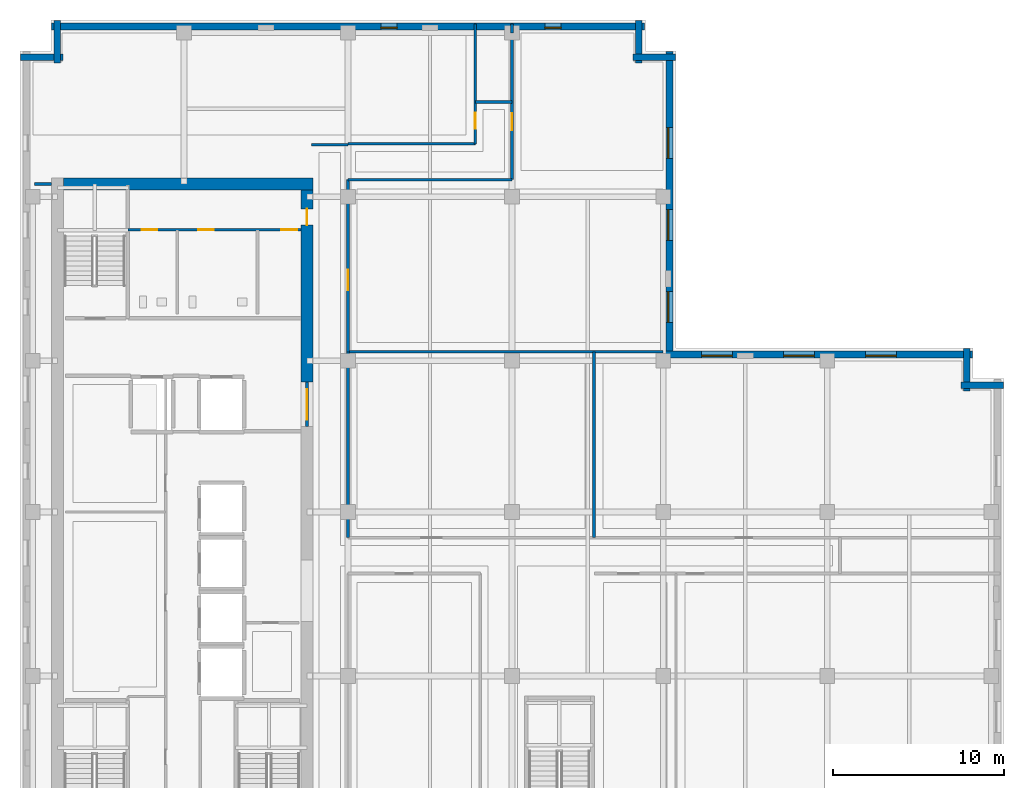
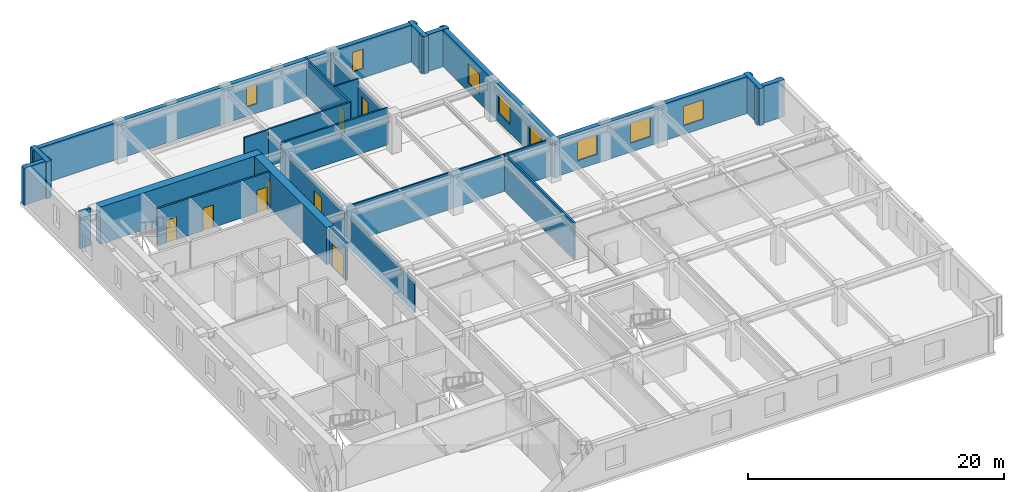
# One storey, part 6 of 14: 25 walls, 8 doors, 8 windows, 16 openings.
"""IFC4 building model written with IfcOpenShell, lengths in metres."""

import ifcopenshell
import ifcopenshell.guid

model = None  # the IFC model being written
_history = None  # IfcOwnerHistory: only IFC2X3 demands one
_inside = {}  # id of a spatial element -> (the spatial element, [elements in it])
_under = {}  # id of a project, library or spatial element -> (it, [spatial elements below it])
_declared = {}  # id of a project -> (the project, [libraries it declares])
_typed = {}  # id of a type object -> (the type object, [elements of that type])
_made_of = {}  # id of a material, layer set ... -> (it, [elements and type objects made of it])


def new_model(schema):
    """Start an empty IFC model of exactly this schema.

    Asked for "IFC4X3", IfcOpenShell would pick the latest addendum, in which some entities
    have other attributes; the version numbers below select the first issue.
    IFC2X3 requires an IfcOwnerHistory on every rooted entity: one is made here for all.
    """
    global model, _history
    if schema == "IFC4X3":
        model = ifcopenshell.file(schema_version=(4, 3, 0, 0))
    else:
        model = ifcopenshell.file(schema=schema)
    _inside.clear()
    _under.clear()
    _declared.clear()
    _typed.clear()
    _made_of.clear()
    _history = None
    if model.schema == "IFC2X3":
        org = make("IfcOrganization", Name="unknown")
        user = make(
            "IfcPersonAndOrganization",
            ThePerson=make("IfcPerson", FamilyName="unknown"),
            TheOrganization=org,
        )
        app = make(
            "IfcApplication",
            ApplicationDeveloper=org,
            Version="unknown",
            ApplicationFullName="unknown",
            ApplicationIdentifier="unknown",
        )
        _history = make(
            "IfcOwnerHistory",
            OwningUser=user,
            OwningApplication=app,
            ChangeAction="ADDED",
            CreationDate=0,
        )
    return model


def make(cls, **values):
    """One entity of the class cls with the attributes given. An attribute that is None is left unset."""
    return model.create_entity(
        cls, **{name: value for name, value in values.items() if value is not None}
    )


def rooted(cls, **values):
    """An entity with a GlobalId (a new one), such as an element, a storey or a relation."""
    return make(cls, GlobalId=ifcopenshell.guid.new(), OwnerHistory=_history, **values)


def si_unit(unit_type, name, prefix=None):
    """IfcSIUnit, for example si_unit("LENGTHUNIT", "METRE", prefix="MILLI")."""
    return make("IfcSIUnit", UnitType=unit_type, Prefix=prefix, Name=name)


def assignment(units):
    """IfcUnitAssignment: the units of a project."""
    return None if units is None else make("IfcUnitAssignment", Units=units)


def point(xyz):
    """IfcCartesianPoint."""
    return None if xyz is None else make("IfcCartesianPoint", Coordinates=xyz)


def direction(xyz):
    """IfcDirection."""
    return None if xyz is None else make("IfcDirection", DirectionRatios=xyz)


def frame(location, z_axis=None, x_axis=None):
    """IfcAxis2Placement3D, a coordinate frame: its origin and axes. An axis left out is left unset."""
    return make(
        "IfcAxis2Placement3D",
        Location=point(location),
        Axis=direction(z_axis),
        RefDirection=direction(x_axis),
    )


def frame_2d(location, x_axis=None):
    """IfcAxis2Placement2D, a coordinate frame in the plane: its origin and x axis."""
    return make(
        "IfcAxis2Placement2D", Location=point(location), RefDirection=direction(x_axis)
    )


def origin():
    """The frame at (0, 0, 0) with its axes left unset."""
    return frame((0.0, 0.0, 0.0))


def place(relative_to, where):
    """IfcLocalPlacement: puts the frame where relative to a parent placement (None: the world)."""
    return make(
        "IfcLocalPlacement", PlacementRelTo=relative_to, RelativePlacement=where
    )


def context(
    kind, dimensions, precision=None, world=None, true_north=None, identifier=None
):
    """IfcGeometricRepresentationContext, for example the 3D "Model" context."""
    return make(
        "IfcGeometricRepresentationContext",
        ContextIdentifier=identifier,
        ContextType=kind,
        CoordinateSpaceDimension=dimensions,
        Precision=precision,
        WorldCoordinateSystem=world,
        TrueNorth=true_north,
    )


def subcontext(parent, identifier, kind, view, scale=None):
    """IfcGeometricRepresentationSubContext, for example "Body" below "Model"."""
    return make(
        "IfcGeometricRepresentationSubContext",
        ContextIdentifier=identifier,
        ContextType=kind,
        ParentContext=parent,
        TargetScale=scale,
        TargetView=view,
    )


def project(units=None, contexts=None):
    """IfcProject with its units and contexts."""
    return rooted(
        "IfcProject",
        Name="project",
        RepresentationContexts=contexts,
        UnitsInContext=assignment(units),
    )


def spatial(cls, under=None, at=None, **own):
    """A site, building, storey or space (cls), placed at a placement, below another one or the project."""
    s = rooted(cls, ObjectPlacement=at, **own)
    if under is not None:
        _under.setdefault(under.id(), (under, []))[1].append(s)
    return s


def profile(cls, at=None, kind="AREA", **sizes):
    """A parametric profile (cls). Its sizes go by their IFC names, for example OverallWidth=200.0."""
    return make(cls, ProfileType=kind, Position=at, **sizes)


def rectangle(**sizes):
    """IfcRectangleProfileDef."""
    return profile("IfcRectangleProfileDef", **sizes)


def extrude(swept, where, along, depth):
    """IfcExtrudedAreaSolid: the profile swept, set in the frame where, extruded along a direction by depth."""
    return make(
        "IfcExtrudedAreaSolid",
        SweptArea=swept,
        Position=where,
        ExtrudedDirection=direction(along),
        Depth=depth,
    )


def shape(context_of_items, identifier, shape_type, items):
    """IfcShapeRepresentation: the items that make up one representation, for example the "Body"."""
    return make(
        "IfcShapeRepresentation",
        ContextOfItems=context_of_items,
        RepresentationIdentifier=identifier,
        RepresentationType=shape_type,
        Items=items,
    )


def material(Name=None, Category=None):
    """IfcMaterial."""
    return make("IfcMaterial", Name=Name, Category=Category)


def layer(
    of_material, thickness, ventilated=None, Name=None, Category=None, Priority=None
):
    """IfcMaterialLayer: one layer of a wall or slab, of a material (None: an air gap)."""
    return make(
        "IfcMaterialLayer",
        Material=of_material,
        LayerThickness=thickness,
        IsVentilated=ventilated,
        Name=Name,
        Category=Category,
        Priority=Priority,
    )


def layer_set(layers, Name=None):
    """IfcMaterialLayerSet."""
    return make("IfcMaterialLayerSet", MaterialLayers=layers, LayerSetName=Name)


def made_of(thing, what):
    """Note that an element or type object is made of a material, layer set ...; save() writes the relation."""
    if what is not None:
        _made_of.setdefault(what.id(), (what, []))[1].append(thing)
    return thing


def type_object(cls, material=None, **own):
    """A type object (cls), such as IfcWallType, which elements share."""
    return made_of(rooted(cls, **own), material)


def element(
    cls,
    number,
    at=None,
    inside=None,
    cuts=None,
    type_object=None,
    material=None,
    context=None,
    identifier="Body",
    shape_type=None,
    held_by="IfcProductDefinitionShape",
    body=None,
    shapes=None,
    **own,
):
    """One element of the class cls, such as IfcWall. Its Tag is "e" and its number.

    at: its placement. inside: the storey or other place that contains it. cuts: it is an
    opening in that element (IfcRelVoidsElement). A single representation is given by context,
    identifier, shape_type and body (its items); several are given by shapes. held_by: the class
    of the entity that holds the representations. save() writes the other relations.
    """
    e = rooted(cls, Tag="e%d" % number, ObjectPlacement=at, **own)
    if body is not None:
        shapes = [shape(context, identifier, shape_type, body)]
    if shapes is not None:
        e.Representation = make(held_by, Representations=shapes)
    if inside is not None:
        _inside.setdefault(inside.id(), (inside, []))[1].append(e)
    if cuts is not None:
        rooted(
            "IfcRelVoidsElement", RelatingBuildingElement=cuts, RelatedOpeningElement=e
        )
    if type_object is not None:
        _typed.setdefault(type_object.id(), (type_object, []))[1].append(e)
    return made_of(e, material)


def fill(opening, filler):
    """IfcRelFillsElement: the door or window that sits in an opening."""
    return rooted(
        "IfcRelFillsElement",
        RelatingOpeningElement=opening,
        RelatedBuildingElement=filler,
    )


def aggregate(whole, parts):
    """IfcRelAggregates: a whole, such as a stair, and the parts it consists of."""
    return rooted("IfcRelAggregates", RelatingObject=whole, RelatedObjects=parts)


def save(model, path):
    """Write the relations noted so far, then the file.

    IfcRelAggregates (storeys below a building ...), IfcRelContainedInSpatialStructure (elements
    in a storey), IfcRelDefinesByType, IfcRelAssociatesMaterial and IfcRelDeclares: one each for
    every whole, place, type object, material and project.
    """
    for whole, parts in _under.values():
        aggregate(whole, parts)
    for where, things in _inside.values():
        rooted(
            "IfcRelContainedInSpatialStructure",
            RelatedElements=things,
            RelatingStructure=where,
        )
    for kind, things in _typed.values():
        rooted("IfcRelDefinesByType", RelatedObjects=things, RelatingType=kind)
    for what, things in _made_of.values():
        rooted("IfcRelAssociatesMaterial", RelatedObjects=things, RelatingMaterial=what)
    for by, libraries in _declared.values():
        rooted("IfcRelDeclares", RelatingContext=by, RelatedDefinitions=libraries)
    model.write(path)


model = new_model("IFC4")

# Units and contexts
model_context = context("Model", 3, precision=1e-05, world=origin(), true_north=direction((0.0, 1.0)))
body_context = subcontext(model_context, "Body", "Model", "MODEL_VIEW")
ifc_project = project(units=[si_unit("LENGTHUNIT", "METRE"), si_unit("AREAUNIT", "SQUARE_METRE"), si_unit("VOLUMEUNIT", "CUBIC_METRE"), si_unit("PLANEANGLEUNIT", "RADIAN"), si_unit("MASSUNIT", "GRAM", prefix="KILO")], contexts=[model_context])

# Site, building, storey
site_placement = place(None, origin())
site = spatial("IfcSite", under=ifc_project, at=site_placement, CompositionType="ELEMENT")
building_placement = place(site_placement, origin())
building = spatial("IfcBuilding", under=site, at=building_placement, Name="Norrvale University Quadrangle", CompositionType="ELEMENT")
storey_placement = place(building_placement, frame((0.0, 0.0, 214.199951171875)))
storey = spatial("IfcBuildingStorey", under=building, at=storey_placement, Name="L54", CompositionType="ELEMENT", Elevation=214.199951171875)

# Wall
ifc_material_1 = material(Name="Concrete C60/75", Category="concrete")
ifc_layer_1 = layer(ifc_material_1, 0.699951171875, Name="Concrete C60/75")
ifc_layer_set_1 = layer_set([ifc_layer_1], Name="Concrete C60/75")
wall_type_1 = type_object("IfcWallType", Name="Wall Core 700", PredefinedType="SHEAR", material=ifc_layer_set_1)
wall_1_placement = place(storey_placement, frame((2.550048828125, 48.0, 0.0), z_axis=(0.0, 0.0, 1.0), x_axis=(1.0, 0.0, 0.0)))
element("IfcWall", 1, at=wall_1_placement, inside=storey, type_object=wall_type_1, Name="Tower Core Shear Wall L54-N", PredefinedType="SHEAR", context=body_context, shape_type="SweptSolid", body=[
    extrude(rectangle(XDim=14.599853515625, YDim=0.699951171875, at=frame_2d((7.2998046875, 0.0))), origin(), (0.0, 0.0, 1.0), 3.5400390625),
])

# Wall, opening, door
wall_2_placement = place(storey_placement, frame((16.800048828125, 36.39990234375, 0.0), z_axis=(0.0, 0.0, 1.0), x_axis=(0.0, 1.0, 0.0)))
wall_2 = element("IfcWall", 2, at=wall_2_placement, inside=storey, type_object=wall_type_1, Name="Tower Core Shear Wall L54-E3", PredefinedType="SHEAR", context=body_context, shape_type="SweptSolid", body=[
    extrude(rectangle(XDim=11.25, YDim=0.699951171875, at=frame_2d((5.625, 0.0))), origin(), (0.0, 0.0, 1.0), 3.5400390625),
])
opening_1_placement = place(wall_2_placement, frame((9.199951171875, 0.0, 0.0)))
opening_1 = element("IfcOpeningElement", 3, at=opening_1_placement, cuts=wall_2, Name="Opening D07", PredefinedType="OPENING", context=body_context, shape_type="SweptSolid", body=[
    extrude(rectangle(XDim=0.949951171875, YDim=2.14990234375, at=frame_2d((0.47509765625, 1.074951171875))), frame((0.0, 0.362060546875, 0.0), z_axis=(0.0, -1.0, 0.0), x_axis=(1.0, 0.0, 0.0)), (0.0, 0.0, 1.0), 0.723876953125),
])
ifc_material_2 = material(Name="Solid-Core Maple Door", Category="wood")
door_type_1 = type_object("IfcDoorType", Name="Door Office 950x2150", OperationType="NOTDEFINED", PredefinedType="DOOR", material=ifc_material_2)
door_1_placement = place(opening_1_placement, origin())
door_1 = element("IfcDoor", 4, at=door_1_placement, inside=storey, type_object=door_type_1, Name="Door Office 950x2150 DR-L54-NECORR", OperationType="SINGLE_SWING_LEFT", OverallHeight=2.14990234375, OverallWidth=0.949951171875, PredefinedType="DOOR", context=body_context, shape_type="SweptSolid", body=[
    extrude(rectangle(XDim=0.949951171875, YDim=2.14990234375, at=frame_2d((0.47509765625, 1.074951171875))), frame((0.0, 0.02490234375, 0.0), z_axis=(0.0, -1.0, 0.0), x_axis=(1.0, 0.0, 0.0)), (0.0, 0.0, 1.0), 0.050048828125),
])
fill(opening_1, door_1)

# Walls
ifc_material_3 = material(Name="Standard Academic Gypsum Partition")
ifc_layer_2 = layer(ifc_material_3, 0.125, Name="Standard Academic Gypsum Partition")
ifc_layer_set_2 = layer_set([ifc_layer_2], Name="Standard Academic Gypsum Partition")
wall_type_2 = type_object("IfcWallType", Name="Wall Gypsum Academic 125", PredefinedType="PARTITIONING", material=ifc_layer_set_2)
wall_3_placement = place(storey_placement, frame((19.280029296875, 38.179931640625, 0.0), z_axis=(0.0, 0.0, 1.0), x_axis=(1.0, 0.0, 0.0)))
element("IfcWall", 5, at=wall_3_placement, inside=storey, type_object=wall_type_2, Name="Interior Partition WL-L54-ME-N", PredefinedType="PARTITIONING", context=body_context, shape_type="SweptSolid", body=[
    extrude(rectangle(XDim=18.369873046875, YDim=0.125, at=frame_2d((9.18505859375, 0.0))), origin(), (0.0, 0.0, 1.0), 3.5400390625),
])
ifc_material_4 = material(Name="Fire-Rated Gypsum Stud Partition")
ifc_layer_3 = layer(ifc_material_4, 0.14990234375, Name="Fire-Rated Gypsum Stud Partition")
ifc_layer_set_3 = layer_set([ifc_layer_3], Name="Fire-Rated Gypsum Stud Partition")
wall_type_3 = type_object("IfcWallType", Name="Wall Gypsum Corridor 150", PredefinedType="PARTITIONING", material=ifc_layer_set_3)
wall_4_placement = place(storey_placement, frame((17.050048828125, 50.300048828125, 0.0), z_axis=(0.0, 0.0, 1.0), x_axis=(1.0, 0.0, 0.0)))
element("IfcWall", 6, at=wall_4_placement, inside=storey, type_object=wall_type_3, Name="Interior Partition WL-L54-CSP-N", PredefinedType="PARTITIONING", context=body_context, shape_type="SweptSolid", body=[
    extrude(rectangle(XDim=2.14990234375, YDim=0.14990234375, at=frame_2d((1.074951171875, 0.0))), origin(), (0.0, 0.0, 1.0), 3.5400390625),
])
wall_5_placement = place(storey_placement, frame((19.199951171875, 27.300048828125, 0.0), z_axis=(0.0, 0.0, 1.0), x_axis=(0.0, 1.0, 0.0)))
element("IfcWall", 7, at=wall_5_placement, inside=storey, type_object=wall_type_3, Name="Interior Partition WL-L54-ME-W", PredefinedType="PARTITIONING", context=body_context, shape_type="SweptSolid", body=[
    extrude(rectangle(XDim=10.8798828125, YDim=0.14990234375, at=frame_2d((5.43994140625, 0.0))), origin(), (0.0, 0.0, 1.0), 2.924072265625),
])

# Wall, opening, door
wall_6_placement = place(storey_placement, frame((19.199951171875, 38.179931640625, 0.0), z_axis=(0.0, 0.0, 1.0), x_axis=(0.0, 1.0, 0.0)))
wall_6 = element("IfcWall", 8, at=wall_6_placement, inside=storey, type_object=wall_type_3, Name="Interior Partition WL-L54-MNECW", PredefinedType="PARTITIONING", context=body_context, shape_type="SweptSolid", body=[
    extrude(rectangle(XDim=10.070068359375, YDim=0.14990234375, at=frame_2d((5.03515625, 0.0))), origin(), (0.0, 0.0, 1.0), 2.924072265625),
])
opening_2_placement = place(wall_6_placement, frame((3.60009765625, 0.0, 0.0)))
opening_2 = element("IfcOpeningElement", 9, at=opening_2_placement, cuts=wall_6, Name="Opening D05", PredefinedType="OPENING", context=body_context, shape_type="SweptSolid", body=[
    extrude(rectangle(XDim=1.199951171875, YDim=2.199951171875, at=frame_2d((0.60009765625, 1.10009765625))), frame((0.0, 0.0869140625, 0.0), z_axis=(0.0, -1.0, 0.0), x_axis=(1.0, 0.0, 0.0)), (0.0, 0.0, 1.0), 0.173828125),
])
ifc_material_5 = material(Name="Acoustic Oak Classroom Door", Category="wood")
door_type_2 = type_object("IfcDoorType", Name="Door Classroom 1200x2200", OperationType="NOTDEFINED", PredefinedType="DOOR", material=ifc_material_5)
door_2_placement = place(opening_2_placement, origin())
door_2 = element("IfcDoor", 10, at=door_2_placement, inside=storey, type_object=door_type_2, Name="Door Classroom 1200x2200 DR-L54-MNE01", OperationType="SINGLE_SWING_RIGHT", OverallHeight=2.199951171875, OverallWidth=1.199951171875, PredefinedType="DOOR", context=body_context, shape_type="SweptSolid", body=[
    extrude(rectangle(XDim=1.199951171875, YDim=2.199951171875, at=frame_2d((0.60009765625, 1.10009765625))), frame((0.0, 0.02490234375, 0.0), z_axis=(0.0, -1.0, 0.0), x_axis=(1.0, 0.0, 0.0)), (0.0, 0.0, 1.0), 0.050048828125),
])
fill(opening_2, door_2)

# Walls
wall_7_placement = place(storey_placement, frame((19.199951171875, 48.25, 0.0), z_axis=(0.0, 0.0, 1.0), x_axis=(1.0, 0.0, 0.0)))
element("IfcWall", 11, at=wall_7_placement, inside=storey, type_object=wall_type_3, Name="Interior Partition WL-L54-JOGS", PredefinedType="PARTITIONING", context=body_context, shape_type="SweptSolid", body=[
    extrude(rectangle(XDim=9.60009765625, YDim=0.14990234375, at=frame_2d((4.800048828125, 0.0))), origin(), (0.0, 0.0, 1.0), 3.5400390625),
])
wall_8_placement = place(storey_placement, frame((19.199951171875, 50.35009765625, 0.0), z_axis=(0.0, 0.0, 1.0), x_axis=(1.0, 0.0, 0.0)))
element("IfcWall", 12, at=wall_8_placement, inside=storey, type_object=wall_type_3, Name="Interior Partition WL-L54-JOGN", PredefinedType="PARTITIONING", context=body_context, shape_type="SweptSolid", body=[
    extrude(rectangle(XDim=7.449951171875, YDim=0.14990234375, at=frame_2d((3.72509765625, 0.0))), origin(), (0.0, 0.0, 1.0), 3.5400390625),
])
wall_9_placement = place(storey_placement, frame((26.64990234375, 52.800048828125, 0.0), z_axis=(0.0, 0.0, 1.0), x_axis=(1.0, 0.0, 0.0)))
element("IfcWall", 13, at=wall_9_placement, inside=storey, type_object=wall_type_3, Name="Interior Partition WL-L54-JOGEND", PredefinedType="PARTITIONING", context=body_context, shape_type="SweptSolid", body=[
    extrude(rectangle(XDim=2.150146484375, YDim=0.14990234375, at=frame_2d((1.0751953125, 0.0))), origin(), (0.0, 0.0, 1.0), 3.5400390625),
])

# Wall, opening, door
wall_10_placement = place(storey_placement, frame((28.800048828125, 48.25, 0.0), z_axis=(0.0, 0.0, 1.0), x_axis=(0.0, 1.0, 0.0)))
wall_10 = element("IfcWall", 14, at=wall_10_placement, inside=storey, type_object=wall_type_3, Name="Interior Partition WL-L54-NECW", PredefinedType="PARTITIONING", context=body_context, shape_type="SweptSolid", body=[
    extrude(rectangle(XDim=8.60009765625, YDim=0.14990234375, at=frame_2d((4.300048828125, 0.0))), origin(), (0.0, 0.0, 1.0), 2.924072265625),
])
opening_3_placement = place(wall_10_placement, frame((2.89990234375, 0.0, 0.0)))
opening_3 = element("IfcOpeningElement", 15, at=opening_3_placement, cuts=wall_10, Name="Opening D04", PredefinedType="OPENING", context=body_context, shape_type="SweptSolid", body=[
    extrude(rectangle(XDim=1.0, YDim=2.199951171875, at=frame_2d((0.5, 1.10009765625))), frame((0.0, 0.0869140625, 0.0), z_axis=(0.0, -1.0, 0.0), x_axis=(1.0, 0.0, 0.0)), (0.0, 0.0, 1.0), 0.173828125),
])
ifc_material_6 = material(Name="Solid-Core Oak Fire Door", Category="wood")
door_type_3 = type_object("IfcDoorType", Name="Door Corridor 1000x2200", OperationType="NOTDEFINED", PredefinedType="DOOR", material=ifc_material_6)
door_3_placement = place(opening_3_placement, origin())
door_3 = element("IfcDoor", 16, at=door_3_placement, inside=storey, type_object=door_type_3, Name="Door Corridor 1000x2200 DR-L54-NE01", OperationType="SINGLE_SWING_RIGHT", OverallHeight=2.199951171875, OverallWidth=1.0, PredefinedType="DOOR", context=body_context, shape_type="SweptSolid", body=[
    extrude(rectangle(XDim=1.0, YDim=2.199951171875, at=frame_2d((0.5, 1.10009765625))), frame((0.0, 0.02490234375, 0.0), z_axis=(0.0, -1.0, 0.0), x_axis=(1.0, 0.0, 0.0)), (0.0, 0.0, 1.0), 0.050048828125),
])
fill(opening_3, door_3)

# Wall
wall_11_placement = place(storey_placement, frame((28.800048828125, 56.85009765625, 0.0), z_axis=(0.0, 0.0, 1.0), x_axis=(0.0, 1.0, 0.0)))
element("IfcWall", 17, at=wall_11_placement, inside=storey, type_object=wall_type_3, Name="Interior Partition WL-L54-NECW-B2", PredefinedType="PARTITIONING", context=body_context, shape_type="SweptSolid", body=[
    extrude(rectangle(XDim=0.52978515625, YDim=0.14990234375, at=frame_2d((0.264892578125, 0.0))), origin(), (0.0, 0.0, 1.0), 3.5400390625),
])

# Wall, opening, door
wall_12_placement = place(storey_placement, frame((26.64990234375, 50.35009765625, 0.0), z_axis=(0.0, 0.0, 1.0), x_axis=(0.0, 1.0, 0.0)))
wall_12 = element("IfcWall", 18, at=wall_12_placement, inside=storey, type_object=wall_type_3, Name="Interior Partition WL-L54-NWCW", PredefinedType="PARTITIONING", context=body_context, shape_type="SweptSolid", body=[
    extrude(rectangle(XDim=7.02978515625, YDim=0.14990234375, at=frame_2d((3.514892578125, 0.0))), origin(), (0.0, 0.0, 1.0), 3.5400390625),
])
opening_4_placement = place(wall_12_placement, frame((0.875, 0.0, 0.0)))
opening_4 = element("IfcOpeningElement", 19, at=opening_4_placement, cuts=wall_12, Name="Opening D07", PredefinedType="OPENING", context=body_context, shape_type="SweptSolid", body=[
    extrude(rectangle(XDim=0.949951171875, YDim=2.14990234375, at=frame_2d((0.47509765625, 1.074951171875))), frame((0.0, 0.0869140625, 0.0), z_axis=(0.0, -1.0, 0.0), x_axis=(1.0, 0.0, 0.0)), (0.0, 0.0, 1.0), 0.173828125),
])
door_4_placement = place(opening_4_placement, origin())
door_4 = element("IfcDoor", 20, at=door_4_placement, inside=storey, type_object=door_type_1, Name="Door Office 950x2150 DR-L54-NW01", OperationType="SINGLE_SWING_RIGHT", OverallHeight=2.14990234375, OverallWidth=0.949951171875, PredefinedType="DOOR", context=body_context, shape_type="SweptSolid", body=[
    extrude(rectangle(XDim=0.949951171875, YDim=2.14990234375, at=frame_2d((0.47509765625, 1.074951171875))), frame((0.0, 0.02490234375, 0.0), z_axis=(0.0, -1.0, 0.0), x_axis=(1.0, 0.0, 0.0)), (0.0, 0.0, 1.0), 0.050048828125),
])
fill(opening_4, door_4)

# Wall, openings, doors
ifc_material_7 = material(Name="Sanitary Chase Gypsum Partition")
ifc_layer_4 = layer(ifc_material_7, 0.1650390625, Name="Sanitary Chase Gypsum Partition")
ifc_layer_set_4 = layer_set([ifc_layer_4], Name="Sanitary Chase Gypsum Partition")
wall_type_4 = type_object("IfcWallType", Name="Wall Gypsum Sanitary 165", PredefinedType="PLUMBINGWALL", material=ifc_layer_set_4)
wall_13_placement = place(storey_placement, frame((6.320068359375, 45.320068359375, 0.0), z_axis=(0.0, 0.0, 1.0), x_axis=(1.0, 0.0, 0.0)))
wall_13 = element("IfcWall", 21, at=wall_13_placement, inside=storey, type_object=wall_type_4, Name="Interior Partition WL-L54-WCN", PredefinedType="PLUMBINGWALL", context=body_context, shape_type="SweptSolid", body=[
    extrude(rectangle(XDim=10.1298828125, YDim=0.1650390625, at=frame_2d((5.06494140625, 0.0))), origin(), (0.0, 0.0, 1.0), 3.5400390625),
])
opening_5_placement = place(wall_13_placement, frame((0.800048828125, 0.0, 0.0)))
opening_5 = element("IfcOpeningElement", 22, at=opening_5_placement, cuts=wall_13, Name="Opening D08", PredefinedType="OPENING", context=body_context, shape_type="SweptSolid", body=[
    extrude(rectangle(XDim=0.919921875, YDim=2.14990234375, at=frame_2d((0.4599609375, 1.074951171875))), frame((0.0, 0.094482421875, 0.0), z_axis=(0.0, -1.0, 0.0), x_axis=(1.0, 0.0, 0.0)), (0.0, 0.0, 1.0), 0.18896484375),
])
opening_6_placement = place(wall_13_placement, frame((4.10009765625, 0.0, 0.0)))
opening_6 = element("IfcOpeningElement", 23, at=opening_6_placement, cuts=wall_13, Name="Opening D08", PredefinedType="OPENING", context=body_context, shape_type="SweptSolid", body=[
    extrude(rectangle(XDim=0.919921875, YDim=2.14990234375, at=frame_2d((0.4599609375, 1.074951171875))), frame((0.0, 0.094482421875, 0.0), z_axis=(0.0, -1.0, 0.0), x_axis=(1.0, 0.0, 0.0)), (0.0, 0.0, 1.0), 0.18896484375),
])
opening_7_placement = place(wall_13_placement, frame((8.97998046875, 0.0, 0.0)))
opening_7 = element("IfcOpeningElement", 24, at=opening_7_placement, cuts=wall_13, Name="Opening D08", PredefinedType="OPENING", context=body_context, shape_type="SweptSolid", body=[
    extrude(rectangle(XDim=0.919921875, YDim=2.14990234375, at=frame_2d((0.4599609375, 1.074951171875))), frame((0.0, 0.094482421875, 0.0), z_axis=(0.0, -1.0, 0.0), x_axis=(1.0, 0.0, 0.0)), (0.0, 0.0, 1.0), 0.18896484375),
])
ifc_material_8 = material(Name="Laminate Washroom Door", Category="wood")
door_type_4 = type_object("IfcDoorType", Name="Door Washroom 920x2150", OperationType="NOTDEFINED", PredefinedType="DOOR", material=ifc_material_8)
door_5_placement = place(opening_5_placement, origin())
door_5 = element("IfcDoor", 25, at=door_5_placement, inside=storey, type_object=door_type_4, Name="Door Washroom 920x2150 DR-L54-WC1", OperationType="SINGLE_SWING_LEFT", OverallHeight=2.14990234375, OverallWidth=0.919921875, PredefinedType="DOOR", context=body_context, shape_type="SweptSolid", body=[
    extrude(rectangle(XDim=0.919921875, YDim=2.14990234375, at=frame_2d((0.4599609375, 1.074951171875))), frame((0.0, 0.02490234375, 0.0), z_axis=(0.0, -1.0, 0.0), x_axis=(1.0, 0.0, 0.0)), (0.0, 0.0, 1.0), 0.050048828125),
])
fill(opening_5, door_5)
door_6_placement = place(opening_6_placement, origin())
door_6 = element("IfcDoor", 26, at=door_6_placement, inside=storey, type_object=door_type_4, Name="Door Washroom 920x2150 DR-L54-WC2", OperationType="SINGLE_SWING_RIGHT", OverallHeight=2.14990234375, OverallWidth=0.919921875, PredefinedType="DOOR", context=body_context, shape_type="SweptSolid", body=[
    extrude(rectangle(XDim=0.919921875, YDim=2.14990234375, at=frame_2d((0.4599609375, 1.074951171875))), frame((0.0, 0.02490234375, 0.0), z_axis=(0.0, -1.0, 0.0), x_axis=(1.0, 0.0, 0.0)), (0.0, 0.0, 1.0), 0.050048828125),
])
fill(opening_6, door_6)
door_7_placement = place(opening_7_placement, origin())
door_7 = element("IfcDoor", 27, at=door_7_placement, inside=storey, type_object=door_type_4, Name="Door Washroom 920x2150 DR-L54-WC3", OperationType="SINGLE_SWING_LEFT", OverallHeight=2.14990234375, OverallWidth=0.919921875, PredefinedType="DOOR", context=body_context, shape_type="SweptSolid", body=[
    extrude(rectangle(XDim=0.919921875, YDim=2.14990234375, at=frame_2d((0.4599609375, 1.074951171875))), frame((0.0, 0.02490234375, 0.0), z_axis=(0.0, -1.0, 0.0), x_axis=(1.0, 0.0, 0.0)), (0.0, 0.0, 1.0), 0.050048828125),
])
fill(opening_7, door_7)

# Wall
wall_14_placement = place(storey_placement, frame((33.60009765625, 27.300048828125, 0.0), z_axis=(0.0, 0.0, 1.0), x_axis=(0.0, 1.0, 0.0)))
element("IfcWall", 28, at=wall_14_placement, inside=storey, type_object=wall_type_4, Name="Interior Partition WL-L54-MEP01", PredefinedType="PLUMBINGWALL", context=body_context, shape_type="SweptSolid", body=[
    extrude(rectangle(XDim=10.8798828125, YDim=0.1650390625, at=frame_2d((5.43994140625, 0.0))), origin(), (0.0, 0.0, 1.0), 3.5400390625),
])

# Wall, opening, door
ifc_material_9 = material(Name="Concrete Blockwork 20 MPa Rated Wall", Category="masonry")
ifc_layer_5 = layer(ifc_material_9, 0.199951171875, Name="Concrete Blockwork 20 MPa Rated Wall")
ifc_layer_set_5 = layer_set([ifc_layer_5], Name="Concrete Blockwork 20 MPa Rated Wall")
wall_type_5 = type_object("IfcWallType", Name="Wall Lobby 200", PredefinedType="SOLIDWALL", material=ifc_layer_set_5)
wall_15_placement = place(storey_placement, frame((16.800048828125, 33.800048828125, 0.0), z_axis=(0.0, 0.0, 1.0), x_axis=(0.0, 1.0, 0.0)))
wall_15 = element("IfcWall", 29, at=wall_15_placement, inside=storey, type_object=wall_type_5, Name="Interior Partition WL-L54-FFP", PredefinedType="SOLIDWALL", context=body_context, shape_type="SweptSolid", body=[
    extrude(rectangle(XDim=2.599853515625, YDim=0.199951171875, at=frame_2d((1.2998046875, 0.0))), origin(), (0.0, 0.0, 1.0), 3.5400390625),
])
opening_8_placement = place(wall_15_placement, frame((0.39990234375, 0.0, 0.0)))
opening_8 = element("IfcOpeningElement", 30, at=opening_8_placement, cuts=wall_15, Name="Opening D03", PredefinedType="OPENING", context=body_context, shape_type="SweptSolid", body=[
    extrude(rectangle(XDim=1.800048828125, YDim=2.199951171875, at=frame_2d((0.89990234375, 1.10009765625))), frame((0.0, 0.112060546875, 0.0), z_axis=(0.0, -1.0, 0.0), x_axis=(1.0, 0.0, 0.0)), (0.0, 0.0, 1.0), 0.223876953125),
])
ifc_material_10 = material(Name="Hollow Steel 350W Fire Door", Category="steel")
door_type_5 = type_object("IfcDoorType", Name="Door Fire Lobby 1800x2200", OperationType="DOUBLE_DOOR_SINGLE_SWING", PredefinedType="DOOR", material=ifc_material_10)
door_8_placement = place(opening_8_placement, origin())
door_8 = element("IfcDoor", 31, at=door_8_placement, inside=storey, type_object=door_type_5, Name="Door Fire Lobby 1800x2200 DR-L54-FFP", OperationType="DOUBLE_DOOR_SINGLE_SWING", OverallHeight=2.199951171875, OverallWidth=1.800048828125, PredefinedType="DOOR", context=body_context, shape_type="SweptSolid", body=[
    extrude(rectangle(XDim=1.800048828125, YDim=2.199951171875, at=frame_2d((0.89990234375, 1.10009765625))), frame((0.0, 0.02490234375, 0.0), z_axis=(0.0, -1.0, 0.0), x_axis=(1.0, 0.0, 0.0)), (0.0, 0.0, 1.0), 0.050048828125),
])
fill(opening_8, door_8)

# Walls
wall_16_placement = place(storey_placement, frame((0.85009765625, 48.0, 0.0), z_axis=(0.0, 0.0, 1.0), x_axis=(1.0, 0.0, 0.0)))
element("IfcWall", 32, at=wall_16_placement, inside=storey, type_object=wall_type_5, Name="Interior Partition WL-L54-CWRET-N", PredefinedType="SOLIDWALL", context=body_context, shape_type="SweptSolid", body=[
    extrude(rectangle(XDim=0.994873046875, YDim=0.199951171875, at=frame_2d((0.49755859375, 0.0))), origin(), (0.0, 0.0, 1.0), 3.5400390625),
])
ifc_material_11 = material(Name="Red Manganese Brick Masonry", Category="masonry")
ifc_layer_6 = layer(ifc_material_11, 0.39990234375, Name="Red Manganese Brick Masonry")
ifc_layer_set_6 = layer_set([ifc_layer_6], Name="Red Manganese Brick Masonry")
wall_type_6 = type_object("IfcWallType", Name="Wall Red Brick 400", PredefinedType="SOLIDWALL", material=ifc_layer_set_6)
wall_17_placement = place(storey_placement, frame((57.56005859375, 36.219970703125, 0.0), z_axis=(0.0, 0.0, 1.0), x_axis=(-1.0, 0.0, 0.0)))
element("IfcWall", 33, at=wall_17_placement, inside=storey, type_object=wall_type_6, Name="Exterior Brick Facade Wall L54-05.1", PredefinedType="SOLIDWALL", context=body_context, shape_type="SweptSolid", body=[
    extrude(rectangle(XDim=2.47998046875, YDim=0.39990234375, at=frame_2d((1.239990234375, 0.0))), origin(), (0.0, 0.0, 1.0), 3.5400390625),
])
wall_18_placement = place(storey_placement, frame((55.419921875, 35.8798828125, 0.0), z_axis=(0.0, 0.0, 1.0), x_axis=(0.0, 1.0, 0.0)))
element("IfcWall", 34, at=wall_18_placement, inside=storey, type_object=wall_type_6, Name="Exterior Brick Facade Wall L54-06.1", PredefinedType="SOLIDWALL", context=body_context, shape_type="SweptSolid", body=[
    extrude(rectangle(XDim=2.480224609375, YDim=0.39990234375, at=frame_2d((1.240234375, 0.0))), origin(), (0.0, 0.0, 1.0), 3.5400390625),
])

# Wall, openings, windows
wall_19_placement = place(storey_placement, frame((55.760009765625, 38.02001953125, 0.0), z_axis=(0.0, 0.0, 1.0), x_axis=(-1.0, 0.0, 0.0)))
wall_19 = element("IfcWall", 35, at=wall_19_placement, inside=storey, type_object=wall_type_6, Name="Exterior Brick Facade Wall L54-07.1", PredefinedType="SOLIDWALL", context=body_context, shape_type="SweptSolid", body=[
    extrude(rectangle(XDim=18.080078125, YDim=0.39990234375, at=frame_2d((9.0400390625, 0.0))), origin(), (0.0, 0.0, 1.0), 3.5400390625),
])
opening_9_placement = place(wall_19_placement, frame((4.4599609375, 0.0, 0.85009765625)))
opening_9 = element("IfcOpeningElement", 36, at=opening_9_placement, cuts=wall_19, Name="Opening W01", PredefinedType="OPENING", context=body_context, shape_type="SweptSolid", body=[
    extrude(rectangle(XDim=1.800048828125, YDim=1.85009765625, at=frame_2d((0.89990234375, 0.925048828125))), frame((0.0, 0.2119140625, 0.0), z_axis=(0.0, -1.0, 0.0), x_axis=(1.0, 0.0, 0.0)), (0.0, 0.0, 1.0), 0.423828125),
])
opening_10_placement = place(wall_19_placement, frame((9.260009765625, 0.0, 0.85009765625)))
opening_10 = element("IfcOpeningElement", 37, at=opening_10_placement, cuts=wall_19, Name="Opening W01", PredefinedType="OPENING", context=body_context, shape_type="SweptSolid", body=[
    extrude(rectangle(XDim=1.800048828125, YDim=1.85009765625, at=frame_2d((0.89990234375, 0.925048828125))), frame((0.0, 0.2119140625, 0.0), z_axis=(0.0, -1.0, 0.0), x_axis=(1.0, 0.0, 0.0)), (0.0, 0.0, 1.0), 0.423828125),
])
opening_11_placement = place(wall_19_placement, frame((14.06005859375, 0.0, 0.85009765625)))
opening_11 = element("IfcOpeningElement", 38, at=opening_11_placement, cuts=wall_19, Name="Opening W01", PredefinedType="OPENING", context=body_context, shape_type="SweptSolid", body=[
    extrude(rectangle(XDim=1.800048828125, YDim=1.85009765625, at=frame_2d((0.89990234375, 0.925048828125))), frame((0.0, 0.2119140625, 0.0), z_axis=(0.0, -1.0, 0.0), x_axis=(1.0, 0.0, 0.0)), (0.0, 0.0, 1.0), 0.423828125),
])
ifc_material_12 = material(Name="Triple Low-E Argon Glazing", Category="glass")
window_type_1 = type_object("IfcWindowType", Name="Window Academic 1800x2300", PartitioningType="DOUBLE_PANEL_VERTICAL", PredefinedType="WINDOW", material=ifc_material_12)
window_1_placement = place(opening_9_placement, origin())
window_1 = element("IfcWindow", 39, at=window_1_placement, inside=storey, type_object=window_type_1, Name="Window Academic 1800x2300 WIN-L54-E07-1-01", OverallHeight=1.85009765625, OverallWidth=1.800048828125, PartitioningType="DOUBLE_PANEL_VERTICAL", PredefinedType="WINDOW", context=body_context, shape_type="SweptSolid", body=[
    extrude(rectangle(XDim=1.800048828125, YDim=1.85009765625, at=frame_2d((0.89990234375, 0.925048828125))), frame((0.0, 0.110107421875, 0.0), z_axis=(0.0, -1.0, 0.0), x_axis=(1.0, 0.0, 0.0)), (0.0, 0.0, 1.0), 0.06005859375),
])
fill(opening_9, window_1)
window_2_placement = place(opening_10_placement, origin())
window_2 = element("IfcWindow", 40, at=window_2_placement, inside=storey, type_object=window_type_1, Name="Window Academic 1800x2300 WIN-L54-E07-1-02", OverallHeight=1.85009765625, OverallWidth=1.800048828125, PartitioningType="DOUBLE_PANEL_VERTICAL", PredefinedType="WINDOW", context=body_context, shape_type="SweptSolid", body=[
    extrude(rectangle(XDim=1.800048828125, YDim=1.85009765625, at=frame_2d((0.89990234375, 0.925048828125))), frame((0.0, 0.110107421875, 0.0), z_axis=(0.0, -1.0, 0.0), x_axis=(1.0, 0.0, 0.0)), (0.0, 0.0, 1.0), 0.06005859375),
])
fill(opening_10, window_2)
window_3_placement = place(opening_11_placement, origin())
window_3 = element("IfcWindow", 41, at=window_3_placement, inside=storey, type_object=window_type_1, Name="Window Academic 1800x2300 WIN-L54-E07-1-03", OverallHeight=1.85009765625, OverallWidth=1.800048828125, PartitioningType="DOUBLE_PANEL_VERTICAL", PredefinedType="WINDOW", context=body_context, shape_type="SweptSolid", body=[
    extrude(rectangle(XDim=1.800048828125, YDim=1.85009765625, at=frame_2d((0.89990234375, 0.925048828125))), frame((0.0, 0.110107421875, 0.0), z_axis=(0.0, -1.0, 0.0), x_axis=(1.0, 0.0, 0.0)), (0.0, 0.0, 1.0), 0.06005859375),
])
fill(opening_11, window_3)

wall_20_placement = place(storey_placement, frame((38.02001953125, 37.679931640625, 0.0), z_axis=(0.0, 0.0, 1.0), x_axis=(0.0, 1.0, 0.0)))
wall_20 = element("IfcWall", 42, at=wall_20_placement, inside=storey, type_object=wall_type_6, Name="Exterior Brick Facade Wall L54-08.1", PredefinedType="SOLIDWALL", context=body_context, shape_type="SweptSolid", body=[
    extrude(rectangle(XDim=18.080078125, YDim=0.39990234375, at=frame_2d((9.0400390625, 0.0))), origin(), (0.0, 0.0, 1.0), 3.5400390625),
])
opening_12_placement = place(wall_20_placement, frame((2.219970703125, 0.0, 0.85009765625)))
opening_12 = element("IfcOpeningElement", 43, at=opening_12_placement, cuts=wall_20, Name="Opening W01", PredefinedType="OPENING", context=body_context, shape_type="SweptSolid", body=[
    extrude(rectangle(XDim=1.800048828125, YDim=1.85009765625, at=frame_2d((0.89990234375, 0.925048828125))), frame((0.0, 0.2119140625, 0.0), z_axis=(0.0, -1.0, 0.0), x_axis=(1.0, 0.0, 0.0)), (0.0, 0.0, 1.0), 0.423828125),
])
opening_13_placement = place(wall_20_placement, frame((7.02001953125, 0.0, 0.85009765625)))
opening_13 = element("IfcOpeningElement", 44, at=opening_13_placement, cuts=wall_20, Name="Opening W01", PredefinedType="OPENING", context=body_context, shape_type="SweptSolid", body=[
    extrude(rectangle(XDim=1.800048828125, YDim=1.85009765625, at=frame_2d((0.89990234375, 0.925048828125))), frame((0.0, 0.2119140625, 0.0), z_axis=(0.0, -1.0, 0.0), x_axis=(1.0, 0.0, 0.0)), (0.0, 0.0, 1.0), 0.423828125),
])
opening_14_placement = place(wall_20_placement, frame((11.820068359375, 0.0, 0.85009765625)))
opening_14 = element("IfcOpeningElement", 45, at=opening_14_placement, cuts=wall_20, Name="Opening W01", PredefinedType="OPENING", context=body_context, shape_type="SweptSolid", body=[
    extrude(rectangle(XDim=1.800048828125, YDim=1.85009765625, at=frame_2d((0.89990234375, 0.925048828125))), frame((0.0, 0.2119140625, 0.0), z_axis=(0.0, -1.0, 0.0), x_axis=(1.0, 0.0, 0.0)), (0.0, 0.0, 1.0), 0.423828125),
])
window_4_placement = place(opening_12_placement, origin())
window_4 = element("IfcWindow", 46, at=window_4_placement, inside=storey, type_object=window_type_1, Name="Window Academic 1800x2300 WIN-L54-E08-1-01", OverallHeight=1.85009765625, OverallWidth=1.800048828125, PartitioningType="DOUBLE_PANEL_VERTICAL", PredefinedType="WINDOW", context=body_context, shape_type="SweptSolid", body=[
    extrude(rectangle(XDim=1.800048828125, YDim=1.85009765625, at=frame_2d((0.89990234375, 0.925048828125))), frame((0.0, 0.110107421875, 0.0), z_axis=(0.0, -1.0, 0.0), x_axis=(1.0, 0.0, 0.0)), (0.0, 0.0, 1.0), 0.06005859375),
])
fill(opening_12, window_4)
window_5_placement = place(opening_13_placement, origin())
window_5 = element("IfcWindow", 47, at=window_5_placement, inside=storey, type_object=window_type_1, Name="Window Academic 1800x2300 WIN-L54-E08-1-02", OverallHeight=1.85009765625, OverallWidth=1.800048828125, PartitioningType="DOUBLE_PANEL_VERTICAL", PredefinedType="WINDOW", context=body_context, shape_type="SweptSolid", body=[
    extrude(rectangle(XDim=1.800048828125, YDim=1.85009765625, at=frame_2d((0.89990234375, 0.925048828125))), frame((0.0, 0.110107421875, 0.0), z_axis=(0.0, -1.0, 0.0), x_axis=(1.0, 0.0, 0.0)), (0.0, 0.0, 1.0), 0.06005859375),
])
fill(opening_13, window_5)
window_6_placement = place(opening_14_placement, origin())
window_6 = element("IfcWindow", 48, at=window_6_placement, inside=storey, type_object=window_type_1, Name="Window Academic 1800x2300 WIN-L54-E08-1-03", OverallHeight=1.85009765625, OverallWidth=1.800048828125, PartitioningType="DOUBLE_PANEL_VERTICAL", PredefinedType="WINDOW", context=body_context, shape_type="SweptSolid", body=[
    extrude(rectangle(XDim=1.800048828125, YDim=1.85009765625, at=frame_2d((0.89990234375, 0.925048828125))), frame((0.0, 0.110107421875, 0.0), z_axis=(0.0, -1.0, 0.0), x_axis=(1.0, 0.0, 0.0)), (0.0, 0.0, 1.0), 0.06005859375),
])
fill(opening_14, window_6)

# Walls
wall_21_placement = place(storey_placement, frame((38.360107421875, 55.419921875, 0.0), z_axis=(0.0, 0.0, 1.0), x_axis=(-1.0, 0.0, 0.0)))
element("IfcWall", 49, at=wall_21_placement, inside=storey, type_object=wall_type_6, Name="Exterior Brick Facade Wall L54-09.1", PredefinedType="SOLIDWALL", context=body_context, shape_type="SweptSolid", body=[
    extrude(rectangle(XDim=2.480224609375, YDim=0.39990234375, at=frame_2d((1.240234375, 0.0))), origin(), (0.0, 0.0, 1.0), 3.5400390625),
])
wall_22_placement = place(storey_placement, frame((36.219970703125, 55.080078125, 0.0), z_axis=(0.0, 0.0, 1.0), x_axis=(0.0, 1.0, 0.0)))
element("IfcWall", 50, at=wall_22_placement, inside=storey, type_object=wall_type_6, Name="Exterior Brick Facade Wall L54-10.1", PredefinedType="SOLIDWALL", context=body_context, shape_type="SweptSolid", body=[
    extrude(rectangle(XDim=2.47998046875, YDim=0.39990234375, at=frame_2d((1.239990234375, 0.0))), origin(), (0.0, 0.0, 1.0), 3.5400390625),
])

# Wall, openings, windows
wall_23_placement = place(storey_placement, frame((36.56005859375, 57.219970703125, 0.0), z_axis=(0.0, 0.0, 1.0), x_axis=(-1.0, 0.0, 0.0)))
wall_23 = element("IfcWall", 51, at=wall_23_placement, inside=storey, type_object=wall_type_6, Name="Exterior Brick Facade Wall L54-11.1", PredefinedType="SOLIDWALL", context=body_context, shape_type="SweptSolid", body=[
    extrude(rectangle(XDim=34.719970703125, YDim=0.39990234375, at=frame_2d((17.35986328125, 0.0))), origin(), (0.0, 0.0, 1.0), 3.5400390625),
])
opening_15_placement = place(wall_23_placement, frame((4.885009765625, 0.0, 0.89990234375)))
opening_15 = element("IfcOpeningElement", 52, at=opening_15_placement, cuts=wall_23, Name="Opening W04", PredefinedType="OPENING", context=body_context, shape_type="SweptSolid", body=[
    extrude(rectangle(XDim=0.949951171875, YDim=1.85009765625, at=frame_2d((0.47509765625, 0.925048828125))), frame((0.0, 0.2119140625, 0.0), z_axis=(0.0, -1.0, 0.0), x_axis=(1.0, 0.0, 0.0)), (0.0, 0.0, 1.0), 0.423828125),
])
opening_16_placement = place(wall_23_placement, frame((14.485107421875, 0.0, 0.89990234375)))
opening_16 = element("IfcOpeningElement", 53, at=opening_16_placement, cuts=wall_23, Name="Opening W04", PredefinedType="OPENING", context=body_context, shape_type="SweptSolid", body=[
    extrude(rectangle(XDim=0.949951171875, YDim=1.85009765625, at=frame_2d((0.47509765625, 0.925048828125))), frame((0.0, 0.2119140625, 0.0), z_axis=(0.0, -1.0, 0.0), x_axis=(1.0, 0.0, 0.0)), (0.0, 0.0, 1.0), 0.423828125),
])
window_type_2 = type_object("IfcWindowType", Name="Window Narrow Pier 950x2300", PartitioningType="SINGLE_PANEL", PredefinedType="WINDOW", material=ifc_material_12)
window_7_placement = place(opening_15_placement, origin())
window_7 = element("IfcWindow", 54, at=window_7_placement, inside=storey, type_object=window_type_2, Name="Window Narrow Pier 950x2300 WIN-L54-E11-1-01", OverallHeight=1.85009765625, OverallWidth=0.949951171875, PartitioningType="SINGLE_PANEL", PredefinedType="WINDOW", context=body_context, shape_type="SweptSolid", body=[
    extrude(rectangle(XDim=0.949951171875, YDim=1.85009765625, at=frame_2d((0.47509765625, 0.925048828125))), frame((0.0, 0.110107421875, 0.0), z_axis=(0.0, -1.0, 0.0), x_axis=(1.0, 0.0, 0.0)), (0.0, 0.0, 1.0), 0.06005859375),
])
fill(opening_15, window_7)
window_8_placement = place(opening_16_placement, origin())
window_8 = element("IfcWindow", 55, at=window_8_placement, inside=storey, type_object=window_type_2, Name="Window Narrow Pier 950x2300 WIN-L54-E11-1-02", OverallHeight=1.85009765625, OverallWidth=0.949951171875, PartitioningType="SINGLE_PANEL", PredefinedType="WINDOW", context=body_context, shape_type="SweptSolid", body=[
    extrude(rectangle(XDim=0.949951171875, YDim=1.85009765625, at=frame_2d((0.47509765625, 0.925048828125))), frame((0.0, 0.110107421875, 0.0), z_axis=(0.0, -1.0, 0.0), x_axis=(1.0, 0.0, 0.0)), (0.0, 0.0, 1.0), 0.06005859375),
])
fill(opening_16, window_8)

# Walls
for number, where, z_axis, x_axis, name in (
    (56, (2.179931640625, 57.56005859375, 0.0), (0.0, 0.0, 1.0), (0.0, -1.0, 0.0), "Exterior Brick Facade Wall L54-12.1"),
    (57, (2.52001953125, 55.419921875, 0.0), (0.0, 0.0, 1.0), (-1.0, 0.0, 0.0), "Exterior Brick Facade Wall L54-13.1"),
):
    element("IfcWall", number, at=place(storey_placement, frame(where, z_axis=z_axis, x_axis=x_axis)), inside=storey, type_object=wall_type_6, Name=name, PredefinedType="SOLIDWALL", context=body_context, shape_type="SweptSolid", body=[
        extrude(rectangle(XDim=2.47998046875, YDim=0.39990234375, at=frame_2d((1.239990234375, 0.0))), origin(), (0.0, 0.0, 1.0), 3.5400390625),
    ])

save(model, "model.ifc")
